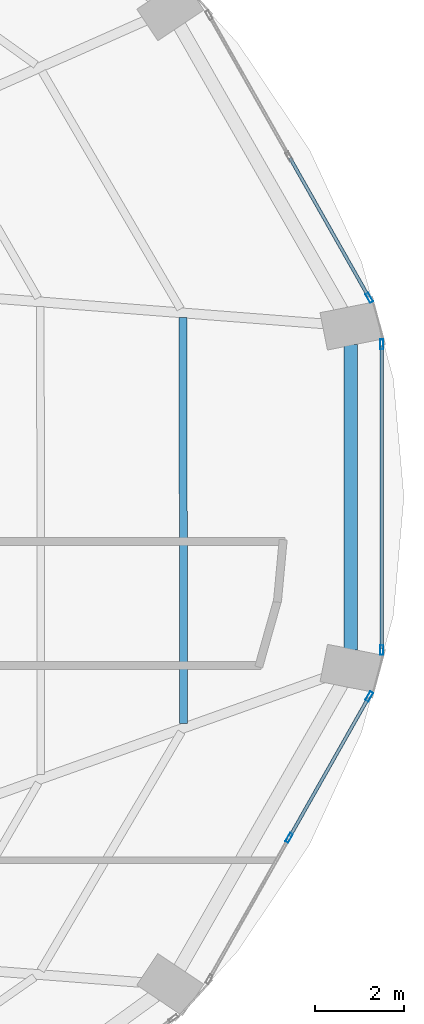
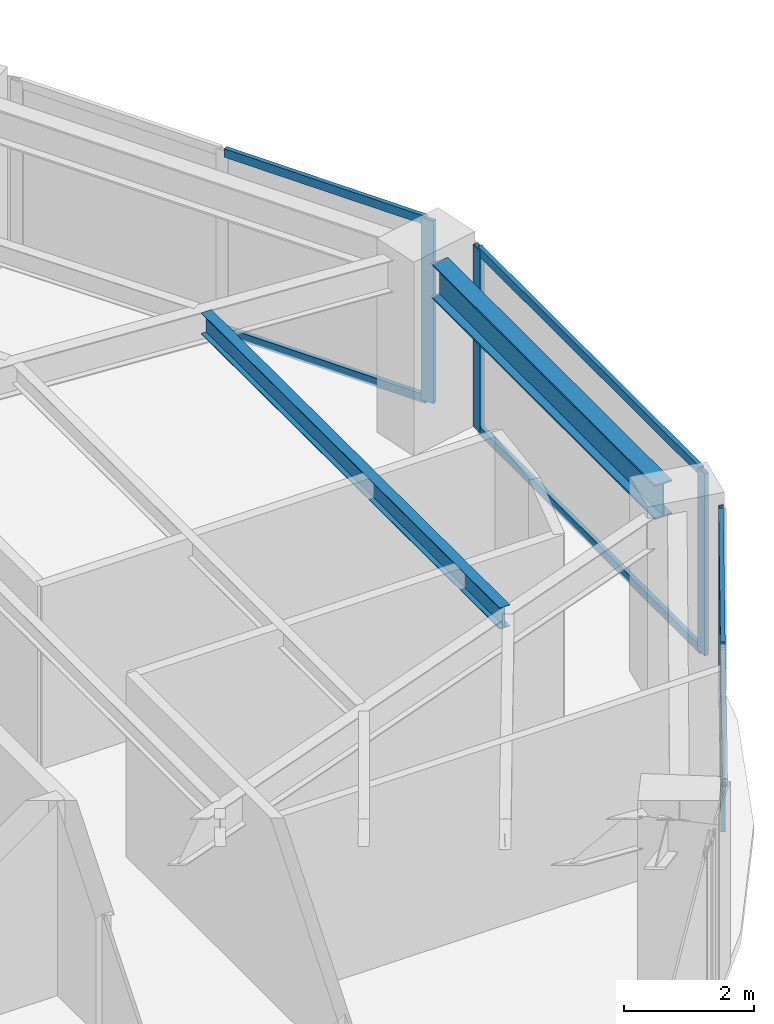
# One storey, part 12 of 24: 11 members, 2 beams, 3 elements without a shape of their own.
"""IFC4 building model written with IfcOpenShell, lengths in metres."""

import ifcopenshell
import ifcopenshell.guid

model = None  # the IFC model being written
_history = None  # IfcOwnerHistory: only IFC2X3 demands one
_inside = {}  # id of a spatial element -> (the spatial element, [elements in it])
_under = {}  # id of a project, library or spatial element -> (it, [spatial elements below it])
_declared = {}  # id of a project -> (the project, [libraries it declares])
_typed = {}  # id of a type object -> (the type object, [elements of that type])
_made_of = {}  # id of a material, layer set ... -> (it, [elements and type objects made of it])


def new_model(schema):
    """Start an empty IFC model of exactly this schema.

    Asked for "IFC4X3", IfcOpenShell would pick the latest addendum, in which some entities
    have other attributes; the version numbers below select the first issue.
    IFC2X3 requires an IfcOwnerHistory on every rooted entity: one is made here for all.
    """
    global model, _history
    if schema == "IFC4X3":
        model = ifcopenshell.file(schema_version=(4, 3, 0, 0))
    else:
        model = ifcopenshell.file(schema=schema)
    _inside.clear()
    _under.clear()
    _declared.clear()
    _typed.clear()
    _made_of.clear()
    _history = None
    if model.schema == "IFC2X3":
        org = make("IfcOrganization", Name="unknown")
        user = make(
            "IfcPersonAndOrganization",
            ThePerson=make("IfcPerson", FamilyName="unknown"),
            TheOrganization=org,
        )
        app = make(
            "IfcApplication",
            ApplicationDeveloper=org,
            Version="unknown",
            ApplicationFullName="unknown",
            ApplicationIdentifier="unknown",
        )
        _history = make(
            "IfcOwnerHistory",
            OwningUser=user,
            OwningApplication=app,
            ChangeAction="ADDED",
            CreationDate=0,
        )
    return model


def make(cls, **values):
    """One entity of the class cls with the attributes given. An attribute that is None is left unset."""
    return model.create_entity(
        cls, **{name: value for name, value in values.items() if value is not None}
    )


def rooted(cls, **values):
    """An entity with a GlobalId (a new one), such as an element, a storey or a relation."""
    return make(cls, GlobalId=ifcopenshell.guid.new(), OwnerHistory=_history, **values)


def si_unit(unit_type, name, prefix=None):
    """IfcSIUnit, for example si_unit("LENGTHUNIT", "METRE", prefix="MILLI")."""
    return make("IfcSIUnit", UnitType=unit_type, Prefix=prefix, Name=name)


def assignment(units):
    """IfcUnitAssignment: the units of a project."""
    return None if units is None else make("IfcUnitAssignment", Units=units)


def point(xyz):
    """IfcCartesianPoint."""
    return None if xyz is None else make("IfcCartesianPoint", Coordinates=xyz)


def direction(xyz):
    """IfcDirection."""
    return None if xyz is None else make("IfcDirection", DirectionRatios=xyz)


def frame(location, z_axis=None, x_axis=None):
    """IfcAxis2Placement3D, a coordinate frame: its origin and axes. An axis left out is left unset."""
    return make(
        "IfcAxis2Placement3D",
        Location=point(location),
        Axis=direction(z_axis),
        RefDirection=direction(x_axis),
    )


def frame_2d(location, x_axis=None):
    """IfcAxis2Placement2D, a coordinate frame in the plane: its origin and x axis."""
    return make(
        "IfcAxis2Placement2D", Location=point(location), RefDirection=direction(x_axis)
    )


def origin():
    """The frame at (0, 0, 0) with its axes left unset."""
    return frame((0.0, 0.0, 0.0))


def origin_2d():
    """The frame at (0, 0) in the plane with its x axis left unset."""
    return frame_2d((0.0, 0.0))


def place(relative_to, where):
    """IfcLocalPlacement: puts the frame where relative to a parent placement (None: the world)."""
    return make(
        "IfcLocalPlacement", PlacementRelTo=relative_to, RelativePlacement=where
    )


def context(
    kind, dimensions, precision=None, world=None, true_north=None, identifier=None
):
    """IfcGeometricRepresentationContext, for example the 3D "Model" context."""
    return make(
        "IfcGeometricRepresentationContext",
        ContextIdentifier=identifier,
        ContextType=kind,
        CoordinateSpaceDimension=dimensions,
        Precision=precision,
        WorldCoordinateSystem=world,
        TrueNorth=true_north,
    )


def subcontext(parent, identifier, kind, view, scale=None):
    """IfcGeometricRepresentationSubContext, for example "Body" below "Model"."""
    return make(
        "IfcGeometricRepresentationSubContext",
        ContextIdentifier=identifier,
        ContextType=kind,
        ParentContext=parent,
        TargetScale=scale,
        TargetView=view,
    )


def project(units=None, contexts=None):
    """IfcProject with its units and contexts."""
    return rooted(
        "IfcProject",
        Name="project",
        RepresentationContexts=contexts,
        UnitsInContext=assignment(units),
    )


def spatial(cls, under=None, at=None, **own):
    """A site, building, storey or space (cls), placed at a placement, below another one or the project."""
    s = rooted(cls, ObjectPlacement=at, **own)
    if under is not None:
        _under.setdefault(under.id(), (under, []))[1].append(s)
    return s


def profile(cls, at=None, kind="AREA", **sizes):
    """A parametric profile (cls). Its sizes go by their IFC names, for example OverallWidth=200.0."""
    return make(cls, ProfileType=kind, Position=at, **sizes)


def hollow_rectangle(**sizes):
    """IfcRectangleHollowProfileDef."""
    return profile("IfcRectangleHollowProfileDef", **sizes)


def i_section(**sizes):
    """IfcIShapeProfileDef."""
    return profile("IfcIShapeProfileDef", **sizes)


def extrude(swept, where, along, depth):
    """IfcExtrudedAreaSolid: the profile swept, set in the frame where, extruded along a direction by depth."""
    return make(
        "IfcExtrudedAreaSolid",
        SweptArea=swept,
        Position=where,
        ExtrudedDirection=direction(along),
        Depth=depth,
    )


def shape(context_of_items, identifier, shape_type, items):
    """IfcShapeRepresentation: the items that make up one representation, for example the "Body"."""
    return make(
        "IfcShapeRepresentation",
        ContextOfItems=context_of_items,
        RepresentationIdentifier=identifier,
        RepresentationType=shape_type,
        Items=items,
    )


def material(Name=None, Category=None):
    """IfcMaterial."""
    return make("IfcMaterial", Name=Name, Category=Category)


def layer(
    of_material, thickness, ventilated=None, Name=None, Category=None, Priority=None
):
    """IfcMaterialLayer: one layer of a wall or slab, of a material (None: an air gap)."""
    return make(
        "IfcMaterialLayer",
        Material=of_material,
        LayerThickness=thickness,
        IsVentilated=ventilated,
        Name=Name,
        Category=Category,
        Priority=Priority,
    )


def layer_set(layers, Name=None):
    """IfcMaterialLayerSet."""
    return make("IfcMaterialLayerSet", MaterialLayers=layers, LayerSetName=Name)


def material_profile(
    of_material, cross_section, Name=None, Category=None, Priority=None
):
    """IfcMaterialProfile: a cross section and its material."""
    return make(
        "IfcMaterialProfile",
        Name=Name,
        Material=of_material,
        Profile=cross_section,
        Priority=Priority,
        Category=Category,
    )


def profile_set(profiles, Name=None, composite=None):
    """IfcMaterialProfileSet."""
    return make(
        "IfcMaterialProfileSet",
        Name=Name,
        MaterialProfiles=profiles,
        CompositeProfile=composite,
    )


def made_of(thing, what):
    """Note that an element or type object is made of a material, layer set ...; save() writes the relation."""
    if what is not None:
        _made_of.setdefault(what.id(), (what, []))[1].append(thing)
    return thing


def type_object(cls, material=None, **own):
    """A type object (cls), such as IfcWallType, which elements share."""
    return made_of(rooted(cls, **own), material)


def element(
    cls,
    number,
    at=None,
    inside=None,
    cuts=None,
    type_object=None,
    material=None,
    context=None,
    identifier="Body",
    shape_type=None,
    held_by="IfcProductDefinitionShape",
    body=None,
    shapes=None,
    **own,
):
    """One element of the class cls, such as IfcWall. Its Tag is "e" and its number.

    at: its placement. inside: the storey or other place that contains it. cuts: it is an
    opening in that element (IfcRelVoidsElement). A single representation is given by context,
    identifier, shape_type and body (its items); several are given by shapes. held_by: the class
    of the entity that holds the representations. save() writes the other relations.
    """
    e = rooted(cls, Tag="e%d" % number, ObjectPlacement=at, **own)
    if body is not None:
        shapes = [shape(context, identifier, shape_type, body)]
    if shapes is not None:
        e.Representation = make(held_by, Representations=shapes)
    if inside is not None:
        _inside.setdefault(inside.id(), (inside, []))[1].append(e)
    if cuts is not None:
        rooted(
            "IfcRelVoidsElement", RelatingBuildingElement=cuts, RelatedOpeningElement=e
        )
    if type_object is not None:
        _typed.setdefault(type_object.id(), (type_object, []))[1].append(e)
    return made_of(e, material)


def aggregate(whole, parts):
    """IfcRelAggregates: a whole, such as a stair, and the parts it consists of."""
    return rooted("IfcRelAggregates", RelatingObject=whole, RelatedObjects=parts)


def save(model, path):
    """Write the relations noted so far, then the file.

    IfcRelAggregates (storeys below a building ...), IfcRelContainedInSpatialStructure (elements
    in a storey), IfcRelDefinesByType, IfcRelAssociatesMaterial and IfcRelDeclares: one each for
    every whole, place, type object, material and project.
    """
    for whole, parts in _under.values():
        aggregate(whole, parts)
    for where, things in _inside.values():
        rooted(
            "IfcRelContainedInSpatialStructure",
            RelatedElements=things,
            RelatingStructure=where,
        )
    for kind, things in _typed.values():
        rooted("IfcRelDefinesByType", RelatedObjects=things, RelatingType=kind)
    for what, things in _made_of.values():
        rooted("IfcRelAssociatesMaterial", RelatedObjects=things, RelatingMaterial=what)
    for by, libraries in _declared.values():
        rooted("IfcRelDeclares", RelatingContext=by, RelatedDefinitions=libraries)
    model.write(path)


model = new_model("IFC4")

# Units and contexts
model_context = context("Model", 3, precision=1e-05, world=origin(), true_north=direction((0.0, 1.0)))
body_context = subcontext(model_context, "Body", "Model", "MODEL_VIEW")
ifc_project = project(units=[si_unit("LENGTHUNIT", "METRE"), si_unit("AREAUNIT", "SQUARE_METRE"), si_unit("VOLUMEUNIT", "CUBIC_METRE"), si_unit("PLANEANGLEUNIT", "RADIAN"), si_unit("MASSUNIT", "GRAM", prefix="KILO")], contexts=[model_context])

# Site, building, storey
site_placement = place(None, origin())
site = spatial("IfcSite", under=ifc_project, at=site_placement, CompositionType="ELEMENT")
building_placement = place(site_placement, origin())
building = spatial("IfcBuilding", under=site, at=building_placement, Name="Lazwardi Medical Tower", CompositionType="ELEMENT")
storey_placement = place(building_placement, frame((0.0, 0.0, 39.7919921875)))
storey = spatial("IfcBuildingStorey", under=building, at=storey_placement, Name="L09", CompositionType="ELEMENT", Elevation=39.7919921875)

# Beams
ifc_material_1 = material(Name="Steel S355", Category="steel")
ifc_material_profile_1 = material_profile(ifc_material_1, i_section(OverallWidth=0.300048828125, OverallDepth=0.64990234375, WebThickness=0.01611328125, FlangeThickness=0.031005859375, at=origin_2d()), Name="HEB 650")
ifc_profile_set_1 = profile_set([ifc_material_profile_1], Name="Steel S355")
beam_type_1 = type_object("IfcBeamType", Name="BM-RB-Z1", PredefinedType="BEAM", material=ifc_profile_set_1)
beam_1_placement = place(storey_placement, frame((62.800048828125, 26.952392578125, 3.10302734375), z_axis=(0.0, 1.0, 0.0), x_axis=(-1.0, 0.0, 0.0)))
element("IfcBeam", 1, at=beam_1_placement, inside=storey, type_object=beam_type_1, Name="Ring beam RB-02 B04 L09", PredefinedType="BEAM", context=body_context, shape_type="SweptSolid", body=[
    extrude(i_section(OverallWidth=0.300048828125, OverallDepth=0.64990234375, WebThickness=0.01611328125, FlangeThickness=0.031005859375, at=origin_2d()), origin(), (0.0, 0.0, 1.0), 6.895263671875),
])
ifc_material_profile_2 = material_profile(ifc_material_1, i_section(OverallWidth=0.179931640625, OverallDepth=0.39990234375, WebThickness=0.008544921875, FlangeThickness=0.013427734375, at=origin_2d()), Name="IPE 400")
ifc_profile_set_2 = profile_set([ifc_material_profile_2], Name="Steel S355")
beam_type_2 = type_object("IfcBeamType", Name="BM-SJ-01", PredefinedType="JOIST", material=ifc_profile_set_2)
beam_2_placement = place(storey_placement, frame((59.0234375, 25.291015625, 3.22802734375), z_axis=(-0.002077613181, 0.999997841759, 0.0), x_axis=(-0.999997841759, -0.002077613181, 0.0)))
element("IfcBeam", 2, at=beam_2_placement, inside=storey, type_object=beam_type_2, Name="Secondary joist SJ-01 R1 B04 L09", PredefinedType="JOIST", context=body_context, shape_type="SweptSolid", body=[
    extrude(i_section(OverallWidth=0.179931640625, OverallDepth=0.39990234375, WebThickness=0.008544921875, FlangeThickness=0.013427734375, at=origin_2d()), origin(), (0.0, 0.0, 1.0), 9.165771484375),
])

# Curtain wall, members
ifc_material_2 = material(Name="Anodised bronze aluminium and solar control glazing", Category="aluminium")
ifc_layer = layer(ifc_material_2, 0.199951171875)
ifc_layer_set = layer_set([ifc_layer], Name="Anodised bronze aluminium and solar control glazing")
curtain_wall_type = type_object("IfcCurtainWallType", Name="CW-SYS-02", PredefinedType="NOTDEFINED", material=ifc_layer_set)
curtain_wall_1_placement = place(storey_placement, origin())
curtain_wall_1 = element("IfcCurtainWall", 3, at=curtain_wall_1_placement, inside=storey, type_object=curtain_wall_type, Name="L09 Unitised bronze curtain wall CW-02", PredefinedType="NOTDEFINED")
ifc_material_3 = material(Name="Anodised bronze aluminium", Category="aluminium")
ifc_material_profile_3 = material_profile(ifc_material_3, hollow_rectangle(XDim=0.074951171875, YDim=0.219970703125, WallThickness=0.00390625, at=origin_2d()), Name="ALU-MULLION 220x75x4")
ifc_profile_set_3 = profile_set([ifc_material_profile_3], Name="Anodised bronze aluminium")
member_type_1 = type_object("IfcMemberType", Name="CW-MUL-01", PredefinedType="MULLION", material=ifc_profile_set_3)
member_1_placement = place(storey_placement, frame((61.4052734375, 22.70458984375, 0.0), z_axis=(0.0, 0.0, 1.0), x_axis=(-0.870111838823, 0.492854327303, 0.0)))
member_1 = element("IfcMember", 4, at=member_1_placement, type_object=member_type_1, Name="CW-02 mullion 2", PredefinedType="MULLION", context=body_context, shape_type="SweptSolid", body=[
    extrude(hollow_rectangle(XDim=0.074951171875, YDim=0.219970703125, WallThickness=0.00390625, at=origin_2d()), origin(), (0.0, 0.0, 1.0), 3.427978515625),
])
member_2_placement = place(storey_placement, frame((63.214111328125, 25.897705078125, 0.0), z_axis=(0.0, 0.0, 1.0), x_axis=(-0.870111838823, 0.492854327303, 0.0)))
member_2 = element("IfcMember", 5, at=member_2_placement, type_object=member_type_1, Name="CW-02 mullion 3", PredefinedType="MULLION", context=body_context, shape_type="SweptSolid", body=[
    extrude(hollow_rectangle(XDim=0.074951171875, YDim=0.219970703125, WallThickness=0.00390625, at=origin_2d()), origin(), (0.0, 0.0, 1.0), 3.427978515625),
])

curtain_wall_2_placement = place(storey_placement, origin())
curtain_wall_2 = element("IfcCurtainWall", 6, at=curtain_wall_2_placement, inside=storey, type_object=curtain_wall_type, Name="L09 Unitised bronze curtain wall CW-02", PredefinedType="NOTDEFINED")
member_3_placement = place(storey_placement, frame((63.49853515625, 26.946044921875, 0.0), z_axis=(0.0, 0.0, 1.0), x_axis=(-1.0, 0.0, 0.0)))
member_3 = element("IfcMember", 7, at=member_3_placement, type_object=member_type_1, Name="CW-02 mullion 1", PredefinedType="MULLION", context=body_context, shape_type="SweptSolid", body=[
    extrude(hollow_rectangle(XDim=0.074951171875, YDim=0.219970703125, WallThickness=0.00390625, at=origin_2d()), origin(), (0.0, 0.0, 1.0), 3.427978515625),
])
member_4_placement = place(storey_placement, frame((63.49853515625, 33.85400390625, 0.0), z_axis=(0.0, 0.0, 1.0), x_axis=(-1.0, 0.0, 0.0)))
member_4 = element("IfcMember", 8, at=member_4_placement, type_object=member_type_1, Name="CW-02 mullion 2", PredefinedType="MULLION", context=body_context, shape_type="SweptSolid", body=[
    extrude(hollow_rectangle(XDim=0.074951171875, YDim=0.219970703125, WallThickness=0.00390625, at=origin_2d()), origin(), (0.0, 0.0, 1.0), 3.427978515625),
])

# Curtain wall, member
curtain_wall_3_placement = place(storey_placement, origin())
curtain_wall_3 = element("IfcCurtainWall", 9, at=curtain_wall_3_placement, inside=storey, type_object=curtain_wall_type, Name="L09 Unitised bronze curtain wall CW-02", PredefinedType="NOTDEFINED")
member_5_placement = place(storey_placement, frame((63.214111328125, 34.90234375, 0.0), z_axis=(0.0, 0.0, 1.0), x_axis=(-0.870111838823, -0.492854327303, 0.0)))
member_5 = element("IfcMember", 10, at=member_5_placement, type_object=member_type_1, Name="CW-02 mullion 1", PredefinedType="MULLION", context=body_context, shape_type="SweptSolid", body=[
    extrude(hollow_rectangle(XDim=0.074951171875, YDim=0.219970703125, WallThickness=0.00390625, at=origin_2d()), origin(), (0.0, 0.0, 1.0), 3.427978515625),
])

# Member
ifc_material_profile_4 = material_profile(ifc_material_3, hollow_rectangle(XDim=0.074951171875, YDim=0.159912109375, WallThickness=0.00390625, at=origin_2d()), Name="ALU-TRANSOM 160x75x4")
ifc_profile_set_4 = profile_set([ifc_material_profile_4], Name="Anodised bronze aluminium")
member_type_2 = type_object("IfcMemberType", Name="CW-TRN-01", PredefinedType="USERDEFINED", material=ifc_profile_set_4)
member_6_placement = place(storey_placement, frame((61.423828125, 22.737060546875, 0.03759765625), z_axis=(0.49285148925, 0.870113446365, 0.0), x_axis=(-0.870113446365, 0.49285148925, 0.0)))
member_6 = element("IfcMember", 11, at=member_6_placement, type_object=member_type_2, Name="CW-02 transom 2.1", ObjectType="TRANSOM", PredefinedType="USERDEFINED", context=body_context, shape_type="SweptSolid", body=[
    extrude(hollow_rectangle(XDim=0.074951171875, YDim=0.159912109375, WallThickness=0.00390625, at=origin_2d()), origin(), (0.0, 0.0, 1.0), 3.594970703125),
])

member_7_placement = place(storey_placement, frame((61.423828125, 22.737060546875, 3.390625), z_axis=(0.49285148925, 0.870113446365, 0.0), x_axis=(-0.870113446365, 0.49285148925, 0.0)))
member_7 = element("IfcMember", 12, at=member_7_placement, type_object=member_type_2, Name="CW-02 transom 2.2", ObjectType="TRANSOM", PredefinedType="USERDEFINED", context=body_context, shape_type="SweptSolid", body=[
    extrude(hollow_rectangle(XDim=0.074951171875, YDim=0.159912109375, WallThickness=0.00390625, at=origin_2d()), origin(), (0.0, 0.0, 1.0), 3.594970703125),
])

aggregate(curtain_wall_1, [member_1, member_2, member_6, member_7])

member_8_placement = place(storey_placement, frame((63.49853515625, 26.9833984375, 0.03759765625), z_axis=(0.0, 1.0, 0.0), x_axis=(-1.0, 0.0, 0.0)))
member_8 = element("IfcMember", 13, at=member_8_placement, type_object=member_type_2, Name="CW-02 transom 1.1", ObjectType="TRANSOM", PredefinedType="USERDEFINED", context=body_context, shape_type="SweptSolid", body=[
    extrude(hollow_rectangle(XDim=0.074951171875, YDim=0.159912109375, WallThickness=0.00390625, at=origin_2d()), origin(), (0.0, 0.0, 1.0), 6.8330078125),
])

member_9_placement = place(storey_placement, frame((63.49853515625, 26.9833984375, 3.390625), z_axis=(0.0, 1.0, 0.0), x_axis=(-1.0, 0.0, 0.0)))
member_9 = element("IfcMember", 14, at=member_9_placement, type_object=member_type_2, Name="CW-02 transom 1.2", ObjectType="TRANSOM", PredefinedType="USERDEFINED", context=body_context, shape_type="SweptSolid", body=[
    extrude(hollow_rectangle(XDim=0.074951171875, YDim=0.159912109375, WallThickness=0.00390625, at=origin_2d()), origin(), (0.0, 0.0, 1.0), 6.8330078125),
])

aggregate(curtain_wall_2, [member_3, member_4, member_8, member_9])

member_10_placement = place(storey_placement, frame((63.195556640625, 34.93505859375, 0.03759765625), z_axis=(-0.492880614687, 0.870096948429, 0.0), x_axis=(-0.870096948429, -0.492880614687, 0.0)))
member_10 = element("IfcMember", 15, at=member_10_placement, type_object=member_type_2, Name="CW-02 transom 1.1", ObjectType="TRANSOM", PredefinedType="USERDEFINED", context=body_context, shape_type="SweptSolid", body=[
    extrude(hollow_rectangle(XDim=0.074951171875, YDim=0.159912109375, WallThickness=0.00390625, at=origin_2d()), origin(), (0.0, 0.0, 1.0), 3.5947265625),
])

member_11_placement = place(storey_placement, frame((63.195556640625, 34.93505859375, 3.390625), z_axis=(-0.492880614687, 0.870096948429, 0.0), x_axis=(-0.870096948429, -0.492880614687, 0.0)))
member_11 = element("IfcMember", 16, at=member_11_placement, type_object=member_type_2, Name="CW-02 transom 1.2", ObjectType="TRANSOM", PredefinedType="USERDEFINED", context=body_context, shape_type="SweptSolid", body=[
    extrude(hollow_rectangle(XDim=0.074951171875, YDim=0.159912109375, WallThickness=0.00390625, at=origin_2d()), origin(), (0.0, 0.0, 1.0), 3.5947265625),
])

aggregate(curtain_wall_3, [member_5, member_10, member_11])

save(model, "model.ifc")
